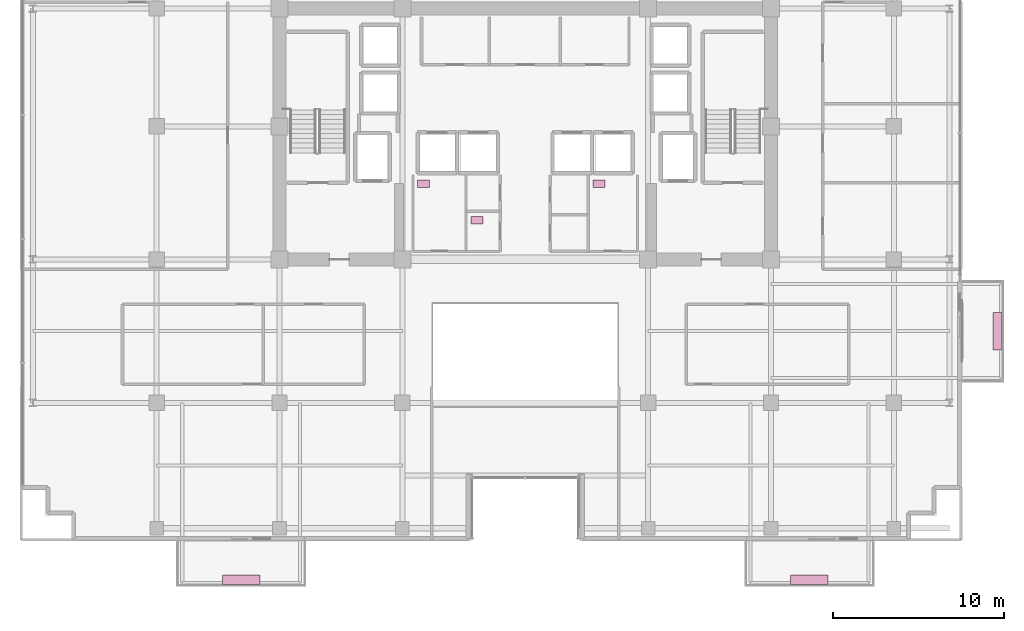
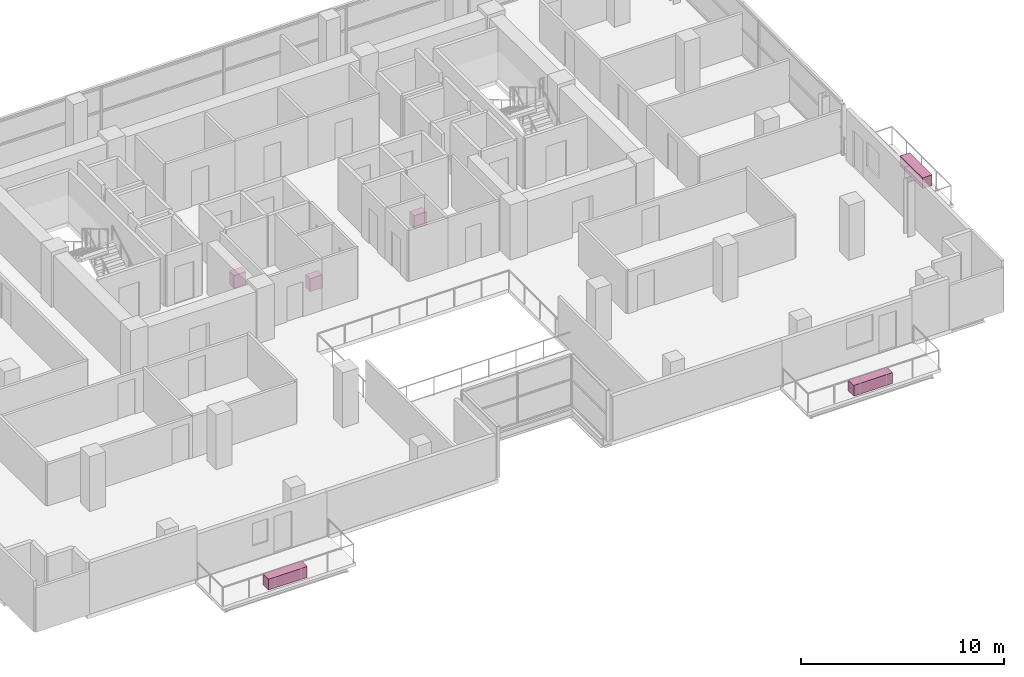
# One storey, part 25 of 25: 6 furnishings.
"""IFC4 building model written with IfcOpenShell, lengths in metres."""

from ifc_helpers import new_model, si_unit, direction, frame, origin, origin_2d, place, context, subcontext, project, spatial, rectangle, extrude, source, transform, mapped, material, type_object, element, save


model = new_model("IFC4")

# Units and contexts
model_context = context("Model", 3, precision=1e-05, world=origin(), true_north=direction((0.0, 1.0)))
body_context = subcontext(model_context, "Body", "Model", "MODEL_VIEW")
ifc_project = project(units=[si_unit("LENGTHUNIT", "METRE"), si_unit("AREAUNIT", "SQUARE_METRE"), si_unit("VOLUMEUNIT", "CUBIC_METRE"), si_unit("PLANEANGLEUNIT", "RADIAN"), si_unit("MASSUNIT", "GRAM", prefix="KILO")], contexts=[model_context])

# Site, building, storey
site_placement = place(None, origin())
site = spatial("IfcSite", under=ifc_project, at=site_placement, CompositionType="ELEMENT")
building_placement = place(site_placement, origin())
building = spatial("IfcBuilding", under=site, at=building_placement, Name="Zarnakvel Exchange Tower", CompositionType="ELEMENT")
storey_placement = place(building_placement, frame((0.0, 0.0, 93.39990234375)))
storey = spatial("IfcBuildingStorey", under=building, at=storey_placement, Name="L25", CompositionType="ELEMENT", Elevation=93.39990234375)

# Furnishings
ifc_material_1 = material(Name="Architectural Bronze Anodised Aluminium", Category="aluminium")
furnishing_element_type_1 = type_object("IfcFurnishingElementType", Name="PLNT-01", material=ifc_material_1)
shared_shape_1 = source(origin(), body_context, "Body", "SweptSolid", [
    extrude(rectangle(XDim=2.199951171875, YDim=0.550048828125, at=origin_2d()), origin(), (0.0, 0.0, 1.0), 0.64990234375),
])
for number, where, z_axis, x_axis, name in (
    (1, (-16.64990234375, -19.969970703125, -0.034912109375), (0.0, 0.0, 1.0), (1.0, 0.0, 0.0), "L25 Balcony Greenery Planter BAL-L25-SW"),
    (2, (16.64990234375, -19.969970703125, -0.034912109375), (0.0, 0.0, 1.0), (1.0, 0.0, 0.0), "L25 Balcony Greenery Planter BAL-L25-SE"),
    (3, (27.669921875, -5.39990234375, -0.034912109375), (0.0, 0.0, 1.0), (0.0, 1.0, 0.0), "L25 Balcony Greenery Planter BAL-L25-E"),
):
    element("IfcFurnishingElement", number, at=place(storey_placement, frame(where, z_axis=z_axis, x_axis=x_axis)), inside=storey, type_object=furnishing_element_type_1, Name=name, ObjectType="PLANTER", context=body_context, shape_type="MappedRepresentation", body=[
        mapped(shared_shape_1, transform((0.0, 0.0, 0.0), x_axis=(1.0, 0.0, 0.0), y_axis=(0.0, 1.0, 0.0), z_axis=(0.0, 0.0, 1.0), scale=1.0)),
    ])
ifc_material_2 = material(Name="Vitreous China Sanitaryware", Category="ceramic")
furnishing_element_type_2 = type_object("IfcFurnishingElementType", Name="SAN-WC", material=ifc_material_2)
shared_shape_2 = source(origin(), body_context, "Body", "SweptSolid", [
    extrude(rectangle(XDim=0.699951171875, YDim=0.449951171875, at=origin_2d()), origin(), (0.0, 0.0, 1.0), 0.780029296875),
])
for number, where, z_axis, x_axis, name in (
    (4, (-5.949951171875, 3.22998046875, 0.0), (0.0, 0.0, 1.0), (1.0, 0.0, 0.0), "L25 Sanitary Fixture (Male Toilet)"),
    (5, (-2.840087890625, 1.10009765625, 0.0), (0.0, 0.0, 1.0), (1.0, 0.0, 0.0), "L25 Sanitary Fixture (Accessible Toilet)"),
    (6, (4.31005859375, 3.22998046875, 0.0), (0.0, 0.0, 1.0), (1.0, 0.0, 0.0), "L25 Sanitary Fixture (Female Toilet)"),
):
    element("IfcFurnishingElement", number, at=place(storey_placement, frame(where, z_axis=z_axis, x_axis=x_axis)), inside=storey, type_object=furnishing_element_type_2, Name=name, ObjectType="SANITARY_FIXTURE", context=body_context, shape_type="MappedRepresentation", body=[
        mapped(shared_shape_2, transform((0.0, 0.0, 0.0), x_axis=(1.0, 0.0, 0.0), y_axis=(0.0, 1.0, 0.0), z_axis=(0.0, 0.0, 1.0), scale=1.0)),
    ])

save(model, "model.ifc")
